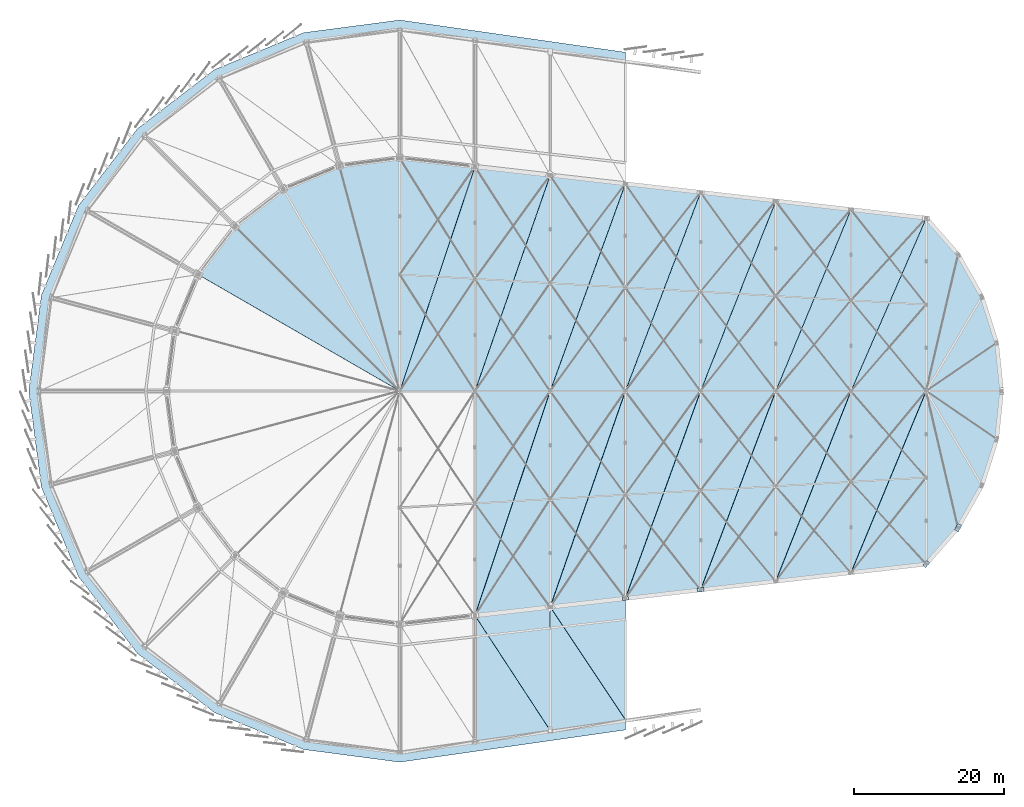
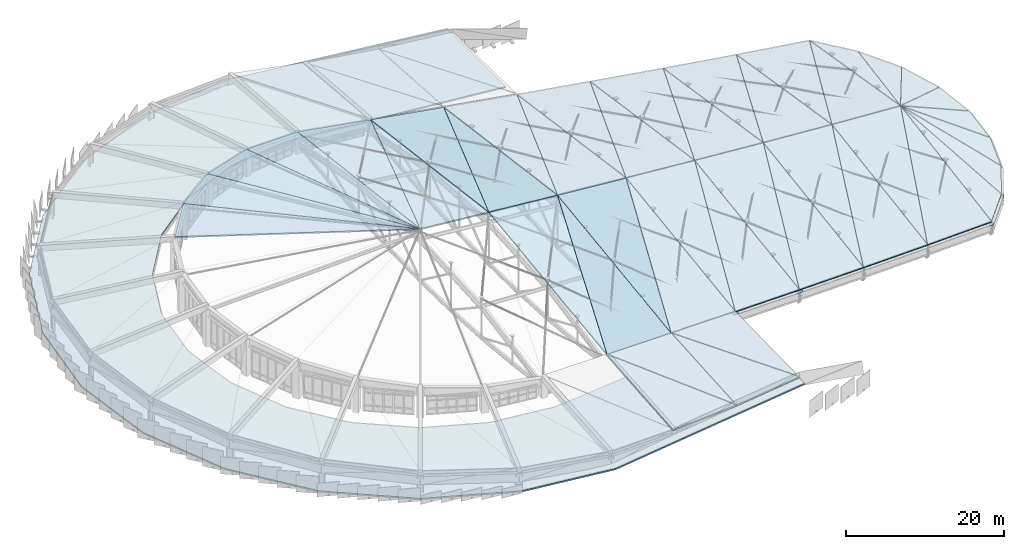
# One storey, part 56 of 68: 43 slabs, 4 plates.
"""IFC4 building model written with IfcOpenShell, lengths in metres."""

from ifc_helpers import new_model, si_unit, direction, frame, origin, origin_2d, place, context, subcontext, project, spatial, polyline, rectangle, outline, extrude, material, layer, layer_set, type_object, element, save


model = new_model("IFC4")

# Units and contexts
model_context = context("Model", 3, precision=1e-05, world=origin(), true_north=direction((0.0, 1.0)))
body_context = subcontext(model_context, "Body", "Model", "MODEL_VIEW")
ifc_project = project(units=[si_unit("LENGTHUNIT", "METRE"), si_unit("AREAUNIT", "SQUARE_METRE"), si_unit("VOLUMEUNIT", "CUBIC_METRE"), si_unit("PLANEANGLEUNIT", "RADIAN"), si_unit("MASSUNIT", "GRAM", prefix="KILO")], contexts=[model_context])

# Site, building, storey
site_placement = place(None, origin())
site = spatial("IfcSite", under=ifc_project, at=site_placement, CompositionType="ELEMENT")
building_placement = place(site_placement, origin())
building = spatial("IfcBuilding", under=site, at=building_placement, Name="Sohan Crest Arena", CompositionType="ELEMENT")
storey_placement = place(building_placement, frame((0.0, 0.0, 27.0)))
storey = spatial("IfcBuildingStorey", under=building, at=storey_placement, Name="RF", CompositionType="ELEMENT", Elevation=27.0)

# Slabs
ifc_material_1 = material(Name="Concrete C40/50", Category="concrete")
ifc_layer_1 = layer(ifc_material_1, 0.175048828125, Name="Concrete C40/50")
ifc_layer_set_1 = layer_set([ifc_layer_1], Name="Concrete C40/50")
slab_type_1 = type_object("IfcSlabType", Name="SL-RF01", PredefinedType="ROOF", material=ifc_layer_set_1)
slab_1_placement = place(storey_placement, frame((97.9951171875, 108.97900390625, 3.136962890625), z_axis=(0.078569357148, 0.123111299512, 0.989277748688), x_axis=(-0.987005823883, -0.129917496774, 0.094556584402)))
element("IfcSlab", 1, at=slab_1_placement, inside=storey, type_object=slab_type_1, Name="Sloped roof deck panel RF-SL-001", PredefinedType="ROOF", context=body_context, shape_type="SweptSolid", body=[
    extrude(outline(polyline([(0.0, 0.0), (8.112495270420572, 1.942890293094024e-16), (4.383438076717263, 30.866937675788467), (0.0, 0.0)])), origin(), (0.0, 0.0, -1.0), 0.175048828125),
])
slab_2_placement = place(storey_placement, frame((89.97705078125, 107.922119140625, 3.904052734375), z_axis=(0.049193937432, 0.115529716806, 0.992085097688), x_axis=(-0.920123355045, -0.381144505095, 0.090010431264)))
element("IfcSlab", 2, at=slab_2_placement, inside=storey, type_object=slab_type_1, Name="Sloped roof deck panel RF-SL-002", PredefinedType="ROOF", context=body_context, shape_type="SweptSolid", body=[
    extrude(outline(polyline([(0.0, 0.0), (8.109954129746676, -3.3306690738754696e-16), (4.30036116213068, 30.79247786818549), (0.0, 0.0)])), origin(), (0.0, 0.0, -1.0), 0.175048828125),
])
slab_3_placement = place(storey_placement, frame((82.506103515625, 104.825927734375, 4.634033203125), z_axis=(0.02228020214, 0.100222015913, 0.994715607658), x_axis=(-0.790838144781, -0.606922997976, 0.078863827493)))
element("IfcSlab", 3, at=slab_3_placement, inside=storey, type_object=slab_type_1, Name="Sloped roof deck panel RF-SL-003", PredefinedType="ROOF", context=body_context, shape_type="SweptSolid", body=[
    extrude(outline(polyline([(0.0, 0.0), (8.101509094062253, -1.734723475976807e-16), (4.213367033155987, 30.73983132818911), (0.0, 0.0)])), origin(), (0.0, 0.0, -1.0), 0.175048828125),
])
slab_4_placement = place(storey_placement, frame((76.091064453125, 99.90087890625, 5.27294921875), z_axis=(-0.000436193293, 0.077682893995, 0.996978022685), x_axis=(-0.607669380732, -0.791810703006, 0.061430727863)))
element("IfcSlab", 4, at=slab_4_placement, inside=storey, type_object=slab_type_1, Name="Sloped roof deck panel RF-SL-004", PredefinedType="ROOF", context=body_context, shape_type="SweptSolid", body=[
    extrude(outline(polyline([(0.0, 0.0), (8.091558244350722, -6.661338147750939e-16), (4.13357035678807, 30.70779176164884), (0.0, 0.0)])), origin(), (0.0, 0.0, -1.0), 0.175048828125),
])
slab_5_placement = place(storey_placement, frame((108.012939453125, 48.1640625, 2.208984375), z_axis=(0.103627606749, -0.132437873979, 0.985759366507), x_axis=(0.989611133323, 0.113031322019, -0.088846637783)))
element("IfcSlab", 5, at=slab_5_placement, inside=storey, type_object=slab_type_1, Name="Sloped roof deck panel RF-SL-015", PredefinedType="ROOF", context=body_context, shape_type="SweptSolid", body=[
    extrude(outline(polyline([(0.0, 0.0), (10.084749587684922, -5.551115123125783e-17), (12.981817964005886, 28.768957025120592), (0.0, 0.0)])), origin(), (0.0, 0.0, -1.0), 0.175048828125),
])
slab_6_placement = place(storey_placement, frame((108.007080078125, 48.18310546875, 2.208984375), z_axis=(0.088688274323, -0.127641178677, 0.987847214656), x_axis=(0.316199134088, 0.94406458039, 0.093595810031)))
element("IfcSlab", 6, at=slab_6_placement, inside=storey, type_object=slab_type_1, Name="Sloped roof deck panel RF-SL-016", PredefinedType="ROOF", context=body_context, shape_type="SweptSolid", body=[
    extrude(outline(polyline([(0.0, 0.0), (31.562327004893373, -2.7755575615628914e-16), (28.49052730263887, 9.537655149242703), (0.0, 0.0)])), origin(), (0.0, 0.0, -1.0), 0.175048828125),
])
slab_7_placement = place(storey_placement, frame((118.012939453125, 49.305908203125, 1.31298828125), z_axis=(0.100682527804, -0.137873521462, 0.985319197354), x_axis=(0.989904344678, 0.113185892339, -0.085313200409)))
element("IfcSlab", 7, at=slab_7_placement, inside=storey, type_object=slab_type_1, Name="Sloped roof deck panel RF-SL-017", PredefinedType="ROOF", context=body_context, shape_type="SweptSolid", body=[
    extrude(outline(polyline([(0.0, 0.0), (10.081762467666112, -1.1102230246251565e-16), (12.867595983785755, 27.642932137689094), (0.0, 0.0)])), origin(), (0.0, 0.0, -1.0), 0.175048828125),
])
slab_8_placement = place(storey_placement, frame((118.007080078125, 49.323974609375, 1.31298828125), z_axis=(0.085105940709, -0.132671659268, 0.987499473257), x_axis=(0.327298212364, 0.9398193862, 0.098058153697)))
element("IfcSlab", 8, at=slab_8_placement, inside=storey, type_object=slab_type_1, Name="Sloped roof deck panel RF-SL-018", PredefinedType="ROOF", context=body_context, shape_type="SweptSolid", body=[
    extrude(outline(polyline([(0.0, 0.0), (30.49201031886783, -2.1094237467877974e-15), (27.309921097788408, 9.498110502772963), (0.0, 0.0)])), origin(), (0.0, 0.0, -1.0), 0.175048828125),
])
slab_9_placement = place(storey_placement, frame((128.012939453125, 50.447998046875, 0.452880859375), z_axis=(0.097032343157, -0.143756297047, 0.984844582379), x_axis=(0.990270995506, 0.113106690103, -0.081056968319)))
element("IfcSlab", 9, at=slab_9_placement, inside=storey, type_object=slab_type_1, Name="Sloped roof deck panel RF-SL-019", PredefinedType="ROOF", context=body_context, shape_type="SweptSolid", body=[
    extrude(outline(polyline([(0.0, 0.0), (10.078029664645866, 2.7755575615628914e-16), (12.749279442045292, 26.521551522664833), (0.0, 0.0)])), origin(), (0.0, 0.0, -1.0), 0.175048828125),
])
slab_10_placement = place(storey_placement, frame((128.007080078125, 50.466064453125, 0.452880859375), z_axis=(0.080798576963, -0.138119794865, 0.987114234639), x_axis=(0.339148544034, 0.935068659313, 0.103076997678)))
element("IfcSlab", 10, at=slab_10_placement, inside=storey, type_object=slab_type_1, Name="Sloped roof deck panel RF-SL-020", PredefinedType="ROOF", context=body_context, shape_type="SweptSolid", body=[
    extrude(outline(polyline([(0.0, 0.0), (29.42657618409149, -2.3869795029440866e-15), (26.126083374324704, 9.453786227987987), (0.0, 0.0)])), origin(), (0.0, 0.0, -1.0), 0.175048828125),
])
slab_11_placement = place(storey_placement, frame((138.012939453125, 51.589111328125, -0.364013671875), z_axis=(0.092822077321, -0.150166982302, 0.98429362458), x_axis=(0.990644935524, 0.113246337485, -0.076143803205)))
element("IfcSlab", 11, at=slab_11_placement, inside=storey, type_object=slab_type_1, Name="Sloped roof deck panel RF-SL-021", PredefinedType="ROOF", context=body_context, shape_type="SweptSolid", body=[
    extrude(outline(polyline([(0.0, 0.0), (10.074225497825939, -1.5265566588595902e-16), (12.638958503257976, 25.398923824444562), (0.0, 0.0)])), origin(), (0.0, 0.0, -1.0), 0.175048828125),
])
slab_12_placement = place(storey_placement, frame((138.007080078125, 51.60595703125, -0.364013671875), z_axis=(0.075837820611, -0.14402321446, 0.986664045489), x_axis=(0.351792432894, 0.929748208819, 0.108675445046)))
element("IfcSlab", 12, at=slab_12_placement, inside=storey, type_object=slab_type_1, Name="Sloped roof deck panel RF-SL-022", PredefinedType="ROOF", context=body_context, shape_type="SweptSolid", body=[
    extrude(outline(polyline([(0.0, 0.0), (28.368945820282377, 3.3306690738754696e-16), (24.941428041107706, 9.40428406942588), (0.0, 0.0)])), origin(), (0.0, 0.0, -1.0), 0.175048828125),
])
slab_13_placement = place(storey_placement, frame((148.012939453125, 52.73193359375, -1.131103515625), z_axis=(0.087428944863, -0.157172874691, 0.98369348227), x_axis=(0.991100632732, 0.113225694869, -0.06999627004)))
element("IfcSlab", 13, at=slab_13_placement, inside=storey, type_object=slab_type_1, Name="Sloped roof deck panel RF-SL-023", PredefinedType="ROOF", context=body_context, shape_type="SweptSolid", body=[
    extrude(outline(polyline([(0.0, 0.0), (10.06959347936169, 2.7755575615628914e-16), (12.528287893779067, 24.276404327097843), (0.0, 0.0)])), origin(), (0.0, 0.0, -1.0), 0.175048828125),
])
slab_14_placement = place(storey_placement, frame((148.007080078125, 52.748046875, -1.131103515625), z_axis=(0.069671339043, -0.150458731897, 0.986158240097), x_axis=(0.365322171698, 0.92373477937, 0.115125011395)))
element("IfcSlab", 14, at=slab_14_placement, inside=storey, type_object=slab_type_1, Name="Sloped roof deck panel RF-SL-024", PredefinedType="ROOF", context=body_context, shape_type="SweptSolid", body=[
    extrude(outline(polyline([(0.0, 0.0), (27.318299413249633, -4.996003610813204e-16), (23.753563402075454, 9.348251306507704), (0.0, 0.0)])), origin(), (0.0, 0.0, -1.0), 0.175048828125),
])
slab_15_placement = place(storey_placement, frame((158.012939453125, 53.8740234375, -1.8359375), z_axis=(0.079837964227, -0.164891456773, 0.983075127827), x_axis=(0.991647406109, 0.113360935681, -0.061520079796)))
element("IfcSlab", 15, at=slab_15_placement, inside=storey, type_object=slab_type_1, Name="Sloped roof deck panel RF-SL-025", PredefinedType="ROOF", context=body_context, shape_type="SweptSolid", body=[
    extrude(outline(polyline([(0.0, 0.0), (10.064041318783786, -1.3877787807814457e-16), (12.429281434580858, 23.154258133199846), (0.0, 0.0)])), origin(), (0.0, 0.0, -1.0), 0.175048828125),
])
slab_16_placement = place(storey_placement, frame((158.007080078125, 53.888916015625, -1.8359375), z_axis=(0.061122562698, -0.157482040375, 0.985628448904), x_axis=(0.379764439374, 0.916876848552, 0.122946391474)))
element("IfcSlab", 16, at=slab_16_placement, inside=storey, type_object=slab_type_1, Name="Sloped roof deck panel RF-SL-026", PredefinedType="ROOF", context=body_context, shape_type="SweptSolid", body=[
    extrude(outline(polyline([(0.0, 0.0), (26.279396999909785, 7.216449660063518e-16), (22.56544640168414, 9.283836166636215), (0.0, 0.0)])), origin(), (0.0, 0.0, -1.0), 0.175048828125),
])
slab_17_placement = place(storey_placement, frame((168.0029296875, 55.01904296875, -2.455078125), z_axis=(0.234364478694, -0.160814032028, 0.958755515358), x_axis=(0.65834199579, 0.751913639659, -0.034809410721)))
element("IfcSlab", 17, at=slab_17_placement, inside=storey, type_object=slab_type_1, Name="Sloped roof deck panel RF-SL-027", PredefinedType="ROOF", context=body_context, shape_type="SweptSolid", body=[
    extrude(outline(polyline([(0.0, 0.0), (6.431506551995299, 2.0816681711721685e-16), (17.12529884765702, 15.761565971846352), (0.0, 0.0)])), origin(), (0.0, 0.0, -1.0), 0.175048828125),
])
slab_18_placement = place(storey_placement, frame((172.241943359375, 59.862060546875, -2.678955078125), z_axis=(0.296065447531, -0.14316557398, 0.944377503547), x_axis=(0.491480358456, 0.870608246218, -0.022098390654)))
element("IfcSlab", 18, at=slab_18_placement, inside=storey, type_object=slab_type_1, Name="Sloped roof deck panel RF-SL-028", PredefinedType="ROOF", context=body_context, shape_type="SweptSolid", body=[
    extrude(outline(polyline([(0.0, 0.0), (6.429872924986192, 1.734723475976807e-16), (13.602710043671197, 13.332230407111991), (0.0, 0.0)])), origin(), (0.0, 0.0, -1.0), 0.175048828125),
])
slab_19_placement = place(storey_placement, frame((175.405029296875, 65.467041015625, -2.821044921875), z_axis=(0.35566475501, -0.102771067408, 0.928946010136), x_axis=(0.303295987661, 0.952836224162, -0.010708585016)))
element("IfcSlab", 19, at=slab_19_placement, inside=storey, type_object=slab_type_1, Name="Sloped roof deck panel RF-SL-029", PredefinedType="ROOF", context=body_context, shape_type="SweptSolid", body=[
    extrude(outline(polyline([(0.0, 0.0), (6.429202004663342, -3.0184188481996443e-16), (9.641796486953124, 11.671920170378367), (0.0, 0.0)])), origin(), (0.0, 0.0, -1.0), 0.175048828125),
])
slab_20_placement = place(storey_placement, frame((177.35693359375, 71.60205078125, -2.889892578125), z_axis=(0.394555129583, -0.0386426654, 0.918059363076), x_axis=(0.102549021912, 0.994725512548, -0.002202904915)))
element("IfcSlab", 20, at=slab_20_placement, inside=storey, type_object=slab_type_1, Name="Sloped roof deck panel RF-SL-030", PredefinedType="ROOF", context=body_context, shape_type="SweptSolid", body=[
    extrude(outline(polyline([(0.0, 0.0), (6.427947095042004, 5.551115123125783e-17), (5.3926609555254155, 10.838528109945365), (0.0, 0.0)])), origin(), (0.0, 0.0, -1.0), 0.175048828125),
])
slab_21_placement = place(storey_placement, frame((178.01611328125, 78.00390625, -2.904052734375), z_axis=(0.394555129583, 0.0386426654, 0.918059363076), x_axis=(-0.102549021912, 0.994725512548, 0.002202904915)))
element("IfcSlab", 21, at=slab_21_placement, inside=storey, type_object=slab_type_1, Name="Sloped roof deck panel RF-SL-031", PredefinedType="ROOF", context=body_context, shape_type="SweptSolid", body=[
    extrude(outline(polyline([(0.0, 0.0), (6.427947095042004, -5.551115123125783e-17), (1.0352861395165889, 10.838528109945365), (0.0, 0.0)])), origin(), (0.0, 0.0, -1.0), 0.175048828125),
])
slab_22_placement = place(storey_placement, frame((177.35498046875, 84.406982421875, -2.889892578125), z_axis=(0.35566475501, 0.102771067408, 0.928946010136), x_axis=(-0.303295987661, 0.952836224162, 0.010708585016)))
element("IfcSlab", 22, at=slab_22_placement, inside=storey, type_object=slab_type_1, Name="Sloped roof deck panel RF-SL-032", PredefinedType="ROOF", context=body_context, shape_type="SweptSolid", body=[
    extrude(outline(polyline([(0.0, 0.0), (6.429202004663342, 3.0184188481996443e-16), (-3.212594482289782, 11.671920170378367), (0.0, 0.0)])), origin(), (0.0, 0.0, -1.0), 0.175048828125),
])
slab_23_placement = place(storey_placement, frame((175.402099609375, 90.5400390625, -2.821044921875), z_axis=(0.296065447531, 0.14316557398, 0.944377503547), x_axis=(-0.491480358456, 0.870608246218, 0.022098390654)))
element("IfcSlab", 23, at=slab_23_placement, inside=storey, type_object=slab_type_1, Name="Sloped roof deck panel RF-SL-033", PredefinedType="ROOF", context=body_context, shape_type="SweptSolid", body=[
    extrude(outline(polyline([(0.0, 0.0), (6.429872924986192, -1.734723475976807e-16), (-7.1728371186850035, 13.332230407111991), (0.0, 0.0)])), origin(), (0.0, 0.0, -1.0), 0.175048828125),
])
slab_24_placement = place(storey_placement, frame((172.237060546875, 96.14501953125, -2.678955078125), z_axis=(0.234364478694, 0.160814032028, 0.958755515358), x_axis=(-0.65834199579, 0.751913639659, 0.034809410721)))
element("IfcSlab", 24, at=slab_24_placement, inside=storey, type_object=slab_type_1, Name="Sloped roof deck panel RF-SL-034", PredefinedType="ROOF", context=body_context, shape_type="SweptSolid", body=[
    extrude(outline(polyline([(0.0, 0.0), (6.431506551995299, -2.0816681711721685e-16), (-10.693792295661725, 15.761565971846352), (0.0, 0.0)])), origin(), (0.0, 0.0, -1.0), 0.175048828125),
])
slab_25_placement = place(storey_placement, frame((167.987060546875, 100.985107421875, -2.455078125), z_axis=(0.079049473462, 0.157283308497, 0.984384651248), x_axis=(-0.991647406109, 0.113360935681, 0.061520079796)))
element("IfcSlab", 25, at=slab_25_placement, inside=storey, type_object=slab_type_1, Name="Sloped roof deck panel RF-SL-035", PredefinedType="ROOF", context=body_context, shape_type="SweptSolid", body=[
    extrude(outline(polyline([(0.0, 0.0), (10.064041318783786, 1.3877787807814457e-16), (7.569456190165673, 24.27274253792306), (0.0, 0.0)])), origin(), (0.0, 0.0, -1.0), 0.175048828125),
])
slab_26_placement = place(storey_placement, frame((167.992919921875, 100.968994140625, -2.455078125), z_axis=(0.061045388491, 0.165110990997, 0.984383980567), x_axis=(-0.39251653499, -0.902793791766, 0.175767287367)))
element("IfcSlab", 26, at=slab_26_placement, inside=storey, type_object=slab_type_1, Name="Sloped roof deck panel RF-SL-036", PredefinedType="ROOF", context=body_context, shape_type="SweptSolid", body=[
    extrude(outline(polyline([(0.0, 0.0), (25.425630716407746, -1.9914625504213745e-15), (21.399541607322334, 9.152794627910483), (0.0, 0.0)])), origin(), (0.0, 0.0, -1.0), 0.175048828125),
])
slab_27_placement = place(storey_placement, frame((157.987060546875, 102.1279296875, -1.8359375), z_axis=(0.086719429078, 0.15025562393, 0.984836528617), x_axis=(-0.991100632732, 0.113225694869, 0.06999627004)))
element("IfcSlab", 27, at=slab_27_placement, inside=storey, type_object=slab_type_1, Name="Sloped roof deck panel RF-SL-037", PredefinedType="ROOF", context=body_context, shape_type="SweptSolid", body=[
    extrude(outline(polyline([(0.0, 0.0), (10.06959347936169, 1.3877787807814457e-17), (7.481823381651189, 25.395616639050683), (0.0, 0.0)])), origin(), (0.0, 0.0, -1.0), 0.175048828125),
])
slab_28_placement = place(storey_placement, frame((157.992919921875, 102.111083984375, -1.8359375), z_axis=(0.069595193739, 0.157394481492, 0.985080446565), x_axis=(-0.376961508152, -0.910109646363, 0.172047821752)))
element("IfcSlab", 28, at=slab_28_placement, inside=storey, type_object=slab_type_1, Name="Sloped roof deck panel RF-SL-038", PredefinedType="ROOF", context=body_context, shape_type="SweptSolid", body=[
    extrude(outline(polyline([(0.0, 0.0), (26.47479982156334, 7.840950111415168e-16), (22.5914241771678, 9.220441362727735), (0.0, 0.0)])), origin(), (0.0, 0.0, -1.0), 0.175048828125),
])
slab_29_placement = place(storey_placement, frame((147.987060546875, 103.27001953125, -1.131103515625), z_axis=(0.092173918257, 0.143819072889, 0.98530200602), x_axis=(-0.990644935524, 0.113246337485, 0.076143803205)))
element("IfcSlab", 29, at=slab_29_placement, inside=storey, type_object=slab_type_1, Name="Sloped roof deck panel RF-SL-039", PredefinedType="ROOF", context=body_context, shape_type="SweptSolid", body=[
    extrude(outline(polyline([(0.0, 0.0), (10.074225497825939, 5.551115123125783e-17), (7.3802932406686645, 26.51998561679392), (0.0, 0.0)])), origin(), (0.0, 0.0, -1.0), 0.175048828125),
])
slab_30_placement = place(storey_placement, frame((147.992919921875, 103.251953125, -1.131103515625), z_axis=(0.075765182537, 0.150391718421, 0.985719010746), x_axis=(-0.362556959343, -0.916742806195, 0.167735143967)))
element("IfcSlab", 30, at=slab_30_placement, inside=storey, type_object=slab_type_1, Name="Sloped roof deck panel RF-SL-040", PredefinedType="ROOF", context=body_context, shape_type="SweptSolid", body=[
    extrude(outline(polyline([(0.0, 0.0), (27.52665536148857, 4.718447854656915e-16), (23.77967606305653, 9.281626103336508), (0.0, 0.0)])), origin(), (0.0, 0.0, -1.0), 0.175048828125),
])
slab_31_placement = place(storey_placement, frame((137.987060546875, 104.412109375, -0.364013671875), z_axis=(0.096439376152, 0.137925758008, 0.985736238557), x_axis=(-0.990270995506, 0.113106690103, 0.081056968319)))
element("IfcSlab", 31, at=slab_31_placement, inside=storey, type_object=slab_type_1, Name="Sloped roof deck panel RF-SL-041", PredefinedType="ROOF", context=body_context, shape_type="SweptSolid", body=[
    extrude(outline(polyline([(0.0, 0.0), (10.078029664645866, -6.938893903907228e-17), (7.277850410662079, 27.64269773764499), (0.0, 0.0)])), origin(), (0.0, 0.0, -1.0), 0.175048828125),
])
slab_32_placement = place(storey_placement, frame((137.992919921875, 104.39404296875, -0.364013671875), z_axis=(0.080730608541, 0.143967719726, 0.986283866096), x_axis=(-0.349139729131, -0.922737408298, 0.163270097903)))
element("IfcSlab", 32, at=slab_32_placement, inside=storey, type_object=slab_type_1, Name="Sloped roof deck panel RF-SL-042", PredefinedType="ROOF", context=body_context, shape_type="SweptSolid", body=[
    extrude(outline(polyline([(0.0, 0.0), (28.584488203575848, -1.6237011735142914e-15), (24.966706075888496, 9.336968421731092), (0.0, 0.0)])), origin(), (0.0, 0.0, -1.0), 0.175048828125),
])
slab_33_placement = place(storey_placement, frame((127.987060546875, 105.552978515625, 0.452880859375), z_axis=(0.100135400029, 0.132489932051, 0.986113238714), x_axis=(-0.989904344678, 0.113185892339, 0.085313200409)))
element("IfcSlab", 33, at=slab_33_placement, inside=storey, type_object=slab_type_1, Name="Sloped roof deck panel RF-SL-043", PredefinedType="ROOF", context=body_context, shape_type="SweptSolid", body=[
    extrude(outline(polyline([(0.0, 0.0), (10.081762467666112, 1.8041124150158794e-16), (7.166771026548601, 28.76617368843844), (0.0, 0.0)])), origin(), (0.0, 0.0, -1.0), 0.175048828125),
])
slab_34_placement = place(storey_placement, frame((127.992919921875, 105.533935546875, 0.452880859375), z_axis=(0.085042598981, 0.13807086011, 0.986764507847), x_axis=(-0.336633793899, -0.928135225338, 0.15887948984)))
element("IfcSlab", 34, at=slab_34_placement, inside=storey, type_object=slab_type_1, Name="Sloped roof deck panel RF-SL-044", PredefinedType="ROOF", context=body_context, shape_type="SweptSolid", body=[
    extrude(outline(polyline([(0.0, 0.0), (29.646401073294296, 4.440892098500626e-16), (26.15014895666723, 9.387013160253726), (0.0, 0.0)])), origin(), (0.0, 0.0, -1.0), 0.175048828125),
])
slab_35_placement = place(storey_placement, frame((117.987060546875, 106.696044921875, 1.31298828125), z_axis=(0.103122989744, 0.127462950669, 0.986467863234), x_axis=(-0.989611133323, 0.113031322019, 0.088846637783)))
element("IfcSlab", 35, at=slab_35_placement, inside=storey, type_object=slab_type_1, Name="Sloped roof deck panel RF-SL-045", PredefinedType="ROOF", context=body_context, shape_type="SweptSolid", body=[
    extrude(outline(polyline([(0.0, 0.0), (10.084749587684922, 1.3877787807814457e-16), (7.058837646299022, 29.89181942691453), (0.0, 0.0)])), origin(), (0.0, 0.0, -1.0), 0.175048828125),
])
slab_36_placement = place(storey_placement, frame((117.992919921875, 106.676025390625, 1.31298828125), z_axis=(0.088629713969, 0.132630745536, 0.987194944851), x_axis=(-0.324932918684, -0.933027571364, 0.154525562386)))
element("IfcSlab", 36, at=slab_36_placement, inside=storey, type_object=slab_type_1, Name="Sloped roof deck panel RF-SL-046", PredefinedType="ROOF", context=body_context, shape_type="SweptSolid", body=[
    extrude(outline(polyline([(0.0, 0.0), (30.713971699669084, 1.2212453270876722e-15), (27.332693217266833, 9.432379073229102), (0.0, 0.0)])), origin(), (0.0, 0.0, -1.0), 0.175048828125),
])
slab_37_placement = place(storey_placement, frame((107.987060546875, 107.837890625, 2.208984375), z_axis=(0.105795391186, 0.122800006857, 0.986776313822), x_axis=(-0.989313905925, 0.113118381435, 0.09199036539)))
element("IfcSlab", 37, at=slab_37_placement, inside=storey, type_object=slab_type_1, Name="Sloped roof deck panel RF-SL-047", PredefinedType="ROOF", context=body_context, shape_type="SweptSolid", body=[
    extrude(outline(polyline([(0.0, 0.0), (10.087779428731487, 1.3877787807814457e-17), (6.942296159692253, 31.017548353434034), (0.0, 0.0)])), origin(), (0.0, 0.0, -1.0), 0.175048828125),
])
slab_38_placement = place(storey_placement, frame((107.992919921875, 107.81689453125, 2.208984375), z_axis=(0.091827748478, 0.127604717976, 0.987565036116), x_axis=(-0.313984349097, -0.937451975112, 0.150325057395)))
element("IfcSlab", 38, at=slab_38_placement, inside=storey, type_object=slab_type_1, Name="Sloped roof deck panel RF-SL-048", PredefinedType="ROOF", context=body_context, shape_type="SweptSolid", body=[
    extrude(outline(polyline([(0.0, 0.0), (31.784961567170352, -2.498001805406602e-16), (28.511905472063898, 9.4735557253008), (0.0, 0.0)])), origin(), (0.0, 0.0, -1.0), 0.175048828125),
])
ifc_layer_2 = layer(ifc_material_1, 0.195068359375, Name="Concrete C40/50")
ifc_layer_set_2 = layer_set([ifc_layer_2], Name="Concrete C40/50")
slab_type_2 = type_object("IfcSlabType", Name="SL-RF02", PredefinedType="ROOF", material=ifc_layer_set_2)
slab_39_placement = place(storey_placement, frame((108.007080078125, 48.1220703125, 2.22900390625), z_axis=(0.069396332176, -0.086386245012, 0.993841821294), x_axis=(0.0, -0.996243596753, -0.086595010993)))
element("IfcSlab", 39, at=slab_39_placement, inside=storey, type_object=slab_type_2, Name="Sloped roof deck panel RF-SL-075", PredefinedType="ROOF", context=body_context, shape_type="SweptSolid", body=[
    extrude(outline(polyline([(0.0, 0.0), (16.744049746588125, 0.0), (15.373972748676577, 10.004098665081635), (0.0, 0.0)])), origin(), (0.0, 0.0, -1.0), 0.195068359375),
])
slab_40_placement = place(storey_placement, frame((108.012939453125, 48.134033203125, 2.22900390625), z_axis=(0.09694138559, -0.068248683291, 0.992947372719), x_axis=(0.544095602168, -0.831742993391, -0.11028856988)))
element("IfcSlab", 40, at=slab_40_placement, inside=storey, type_object=slab_type_2, Name="Sloped roof deck panel RF-SL-076", PredefinedType="ROOF", context=body_context, shape_type="SweptSolid", body=[
    extrude(outline(polyline([(0.0, 0.0), (18.342328864616352, -1.0547118733938987e-15), (4.580783945489239, 8.98435265843117), (0.0, 0.0)])), origin(), (0.0, 0.0, -1.0), 0.195068359375),
])
slab_41_placement = place(storey_placement, frame((118.007080078125, 49.264892578125, 1.3330078125), z_axis=(0.009797636378, -0.068568358132, 0.997598309233), x_axis=(0.0, -0.997646194246, -0.068571649433)))
element("IfcSlab", 41, at=slab_41_placement, inside=storey, type_object=slab_type_2, Name="Sloped roof deck panel RF-SL-077", PredefinedType="ROOF", context=body_context, shape_type="SweptSolid", body=[
    extrude(outline(polyline([(0.0, 0.0), (16.434680138421086, 1.734723475976807e-18), (15.012011334565553, 9.980459510757754), (0.0, 0.0)])), origin(), (0.0, 0.0, -1.0), 0.195068359375),
])
slab_42_placement = place(storey_placement, frame((118.012939453125, 49.277099609375, 1.3330078125), z_axis=(0.08772359189, -0.016497749499, 0.996008230733), x_axis=(0.553608990311, -0.830427028424, -0.062514288842)))
element("IfcSlab", 42, at=slab_42_placement, inside=storey, type_object=slab_type_2, Name="Sloped roof deck panel RF-SL-078", PredefinedType="ROOF", context=body_context, shape_type="SweptSolid", body=[
    extrude(outline(polyline([(0.0, 0.0), (18.0271286113627, -1.2212453270876722e-15), (4.632178308063317, 8.954444379511663), (0.0, 0.0)])), origin(), (0.0, 0.0, -1.0), 0.195068359375),
])
ifc_layer_3 = layer(ifc_material_1, 0.219970703125, Name="Concrete C40/50")
ifc_layer_set_3 = layer_set([ifc_layer_3], Name="Concrete C40/50")
slab_type_3 = type_object("IfcSlabType", Name="SL-RF03", PredefinedType="ROOF", material=ifc_layer_set_3)
slab_43_placement = place(storey_placement, frame((0.0, 0.0, -0.219970703125)))
element("IfcSlab", 43, at=slab_43_placement, inside=storey, type_object=slab_type_3, Name="Concourse West crescent roof slab RF-V2W", PredefinedType="ROOF", context=body_context, shape_type="SweptSolid", body=[
    extrude(outline(polyline([(128.0, 32.93603515625), (98.0, 28.64990234375), (85.22705078125, 30.33203125), (73.324951171875, 35.261962890625), (63.10400390625, 43.10400390625), (55.261962890625, 53.324951171875), (50.33203125, 65.22705078125), (48.64990234375, 78.0), (50.33203125, 90.77294921875), (55.261962890625, 102.675048828125), (63.10400390625, 112.89599609375), (73.324951171875, 120.738037109375), (85.22705078125, 125.66796875), (98.0, 127.35009765625), (128.0, 123.06396484375), (128.0, 108.37109375), (98.0, 111.800048828125), (89.251953125, 110.64794921875), (81.10009765625, 107.27197265625), (74.10009765625, 101.89990234375), (68.72802734375, 94.89990234375), (65.35205078125, 86.748046875), (64.199951171875, 78.0), (65.35205078125, 69.251953125), (68.72802734375, 61.10009765625), (74.10009765625, 54.10009765625), (81.10009765625, 48.72802734375), (89.251953125, 45.35205078125), (98.0, 44.199951171875), (128.0, 47.62890625), (128.0, 32.93603515625)])), origin(), (0.0, 0.0, 1.0), 0.219970703125),
])

# Plates
ifc_material_2 = material(Name="Steel S355", Category="steel")
ifc_layer_4 = layer(ifc_material_2, 0.030029296875, Name="Steel S355")
ifc_layer_set_4 = layer_set([ifc_layer_4], Name="Steel S355")
plate_type_1 = type_object("IfcPlateType", Name="STR-PL-GP02", PredefinedType="USERDEFINED", material=ifc_layer_set_4)
plate_1_placement = place(storey_placement, frame((128.0, 50.428955078125, 0.1318359375), z_axis=(0.0, 0.0, 1.0), x_axis=(0.993571855677, 0.113203213768, 0.0)))
element("IfcPlate", 44, at=plate_1_placement, inside=storey, type_object=plate_type_1, Name="Ring beam node gusset plate GP-RB16", ObjectType="GUSSET PLATE", PredefinedType="USERDEFINED", context=body_context, shape_type="SweptSolid", body=[
    extrude(rectangle(XDim=0.780029296875, YDim=0.47998046875, at=origin_2d()), origin(), (0.0, 0.0, 1.0), 0.030029296875),
])
ifc_layer_5 = layer(ifc_material_2, 0.034912109375, Name="Steel S355")
ifc_layer_set_5 = layer_set([ifc_layer_5], Name="Steel S355")
plate_type_2 = type_object("IfcPlateType", Name="STR-PL-GP03", PredefinedType="USERDEFINED", material=ifc_layer_set_5)
plate_2_placement = place(storey_placement, frame((138.0, 51.571044921875, -0.6875), z_axis=(0.0, 0.0, 1.0), x_axis=(0.993571855677, 0.113203213768, 0.0)))
element("IfcPlate", 45, at=plate_2_placement, inside=storey, type_object=plate_type_2, Name="Ring beam node gusset plate GP-RB17", ObjectType="GUSSET PLATE", PredefinedType="USERDEFINED", context=body_context, shape_type="SweptSolid", body=[
    extrude(rectangle(XDim=0.89990234375, YDim=0.550048828125, at=origin_2d()), origin(), (0.0, 0.0, 1.0), 0.034912109375),
])
ifc_layer_6 = layer(ifc_material_2, 0.031982421875, Name="Steel S355")
ifc_layer_set_6 = layer_set([ifc_layer_6], Name="Steel S355")
plate_type_3 = type_object("IfcPlateType", Name="STR-PL-GP06", PredefinedType="USERDEFINED", material=ifc_layer_set_6)
plate_3_placement = place(storey_placement, frame((168.0, 55.0, -2.77685546875), z_axis=(0.0, 0.0, 1.0), x_axis=(0.658689460119, 0.752414908896, 0.0)))
element("IfcPlate", 46, at=plate_3_placement, inside=storey, type_object=plate_type_3, Name="Ring beam node gusset plate GP-RB20", ObjectType="GUSSET PLATE", PredefinedType="USERDEFINED", context=body_context, shape_type="SweptSolid", body=[
    extrude(rectangle(XDim=0.840087890625, YDim=0.5, at=origin_2d()), origin(), (0.0, 0.0, 1.0), 0.031982421875),
])
ifc_layer_7 = layer(ifc_material_2, 0.033935546875, Name="Steel S355")
ifc_layer_set_7 = layer_set([ifc_layer_7], Name="Steel S355")
plate_type_4 = type_object("IfcPlateType", Name="STR-PL-GP07", PredefinedType="USERDEFINED", material=ifc_layer_set_7)
plate_4_placement = place(storey_placement, frame((172.242919921875, 59.845947265625, -3.001953125), z_axis=(0.0, 0.0, 1.0), x_axis=(0.490903753615, 0.87121381112, 0.0)))
element("IfcPlate", 47, at=plate_4_placement, inside=storey, type_object=plate_type_4, Name="Ring beam node gusset plate GP-RB21", ObjectType="GUSSET PLATE", PredefinedType="USERDEFINED", context=body_context, shape_type="SweptSolid", body=[
    extrude(rectangle(XDim=0.9599609375, YDim=0.580078125, at=origin_2d()), origin(), (0.0, 0.0, 1.0), 0.033935546875),
])

save(model, "model.ifc")
